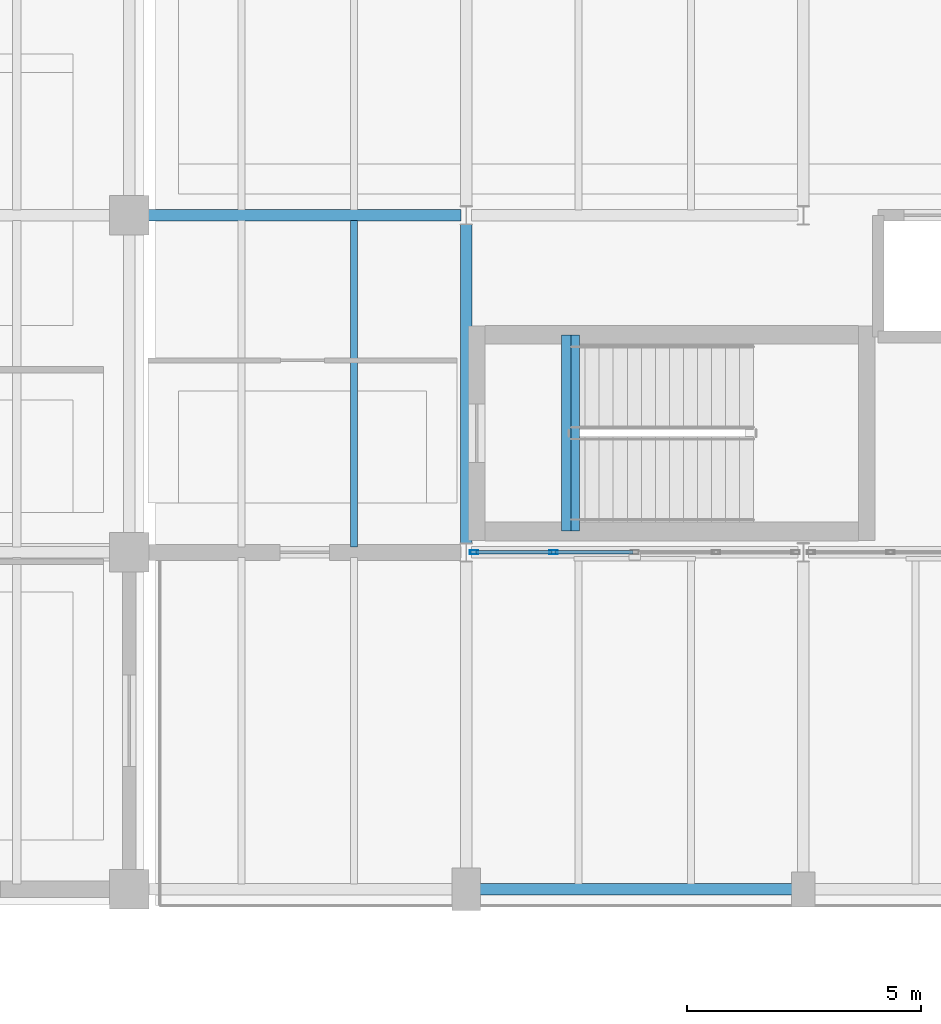
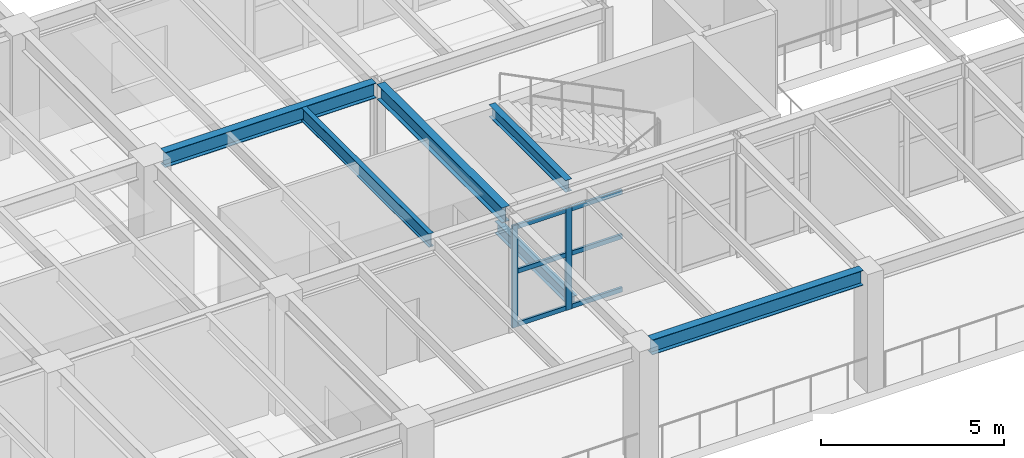
# One storey, part 13 of 59: 8 members, 6 beams, 1 element without a shape of its own.
"""IFC4 building model written with IfcOpenShell, lengths in metres."""

from ifc_helpers import new_model, si_unit, direction, frame, origin, origin_2d, place, context, subcontext, project, spatial, hollow_rectangle, i_section, extrude, material, layer, layer_set, material_profile, profile_set, type_object, element, aggregate, save


model = new_model("IFC4")

# Units and contexts
model_context = context("Model", 3, precision=1e-05, world=origin(), true_north=direction((0.0, 1.0)))
body_context = subcontext(model_context, "Body", "Model", "MODEL_VIEW")
ifc_project = project(units=[si_unit("LENGTHUNIT", "METRE"), si_unit("AREAUNIT", "SQUARE_METRE"), si_unit("VOLUMEUNIT", "CUBIC_METRE"), si_unit("PLANEANGLEUNIT", "RADIAN"), si_unit("MASSUNIT", "GRAM", prefix="KILO")], contexts=[model_context])

# Site, building, storey
site_placement = place(None, origin())
site = spatial("IfcSite", under=ifc_project, at=site_placement, CompositionType="ELEMENT")
building_placement = place(site_placement, origin())
building = spatial("IfcBuilding", under=site, at=building_placement, Name="Kandorven Conservatory and Botanical Research Centre", CompositionType="ELEMENT")
storey_placement = place(building_placement, frame((0.0, 0.0, 4.800048828125)))
storey = spatial("IfcBuildingStorey", under=building, at=storey_placement, Name="L01", CompositionType="ELEMENT", Elevation=4.800048828125)

# Beams
ifc_material_1 = material(Name="Steel S355 (IS 2062 E350)", Category="steel")
ifc_material_profile_1 = material_profile(ifc_material_1, i_section(OverallWidth=0.25, OverallDepth=0.5, WebThickness=0.010009765625, FlangeThickness=0.0146484375, at=origin_2d()))
ifc_profile_set_1 = profile_set([ifc_material_profile_1], Name="Steel S355 (IS 2062 E350)")
beam_type_1 = type_object("IfcBeamType", Name="Beam_FG-02", PredefinedType="USERDEFINED", material=ifc_profile_set_1)
for number, where, z_axis, x_axis, name in (
    (1, (49.489990234375, 6.0, 3.699951171875), (1.0, 0.0, 0.0), (0.0, 1.0, 0.0), "Primary girder FG-02 VIS L01"),
    (2, (42.4150390625, 20.39990234375, 3.699951171875), (1.0, 0.0, 0.0), (0.0, 1.0, 0.0), "Primary girder FG-02 VIS L01"),
):
    element("IfcBeam", number, at=place(storey_placement, frame(where, z_axis=z_axis, x_axis=x_axis)), inside=storey, type_object=beam_type_1, Name=name, ObjectType="GIRDER", PredefinedType="USERDEFINED", context=body_context, shape_type="SweptSolid", body=[
        extrude(i_section(OverallWidth=0.25, OverallDepth=0.5, WebThickness=0.010009765625, FlangeThickness=0.0146484375, at=origin_2d()), origin(), (0.0, 0.0, 1.0), 6.669921875),
    ])
beam_1_placement = place(storey_placement, frame((49.199951171875, 13.389892578125, 3.699951171875), z_axis=(0.0, 1.0, 0.0), x_axis=(-1.0, 0.0, 0.0)))
element("IfcBeam", 3, at=beam_1_placement, inside=storey, type_object=beam_type_1, Name="Primary girder FG-02 VIS L01", ObjectType="GIRDER", PredefinedType="USERDEFINED", context=body_context, shape_type="SweptSolid", body=[
    extrude(i_section(OverallWidth=0.25, OverallDepth=0.5, WebThickness=0.010009765625, FlangeThickness=0.0146484375, at=origin_2d()), origin(), (0.0, 0.0, 1.0), 6.820068359375),
])
ifc_material_2 = material(Name="Steel S355 (IS 2062 E350)", Category="steel")
ifc_material_profile_2 = material_profile(ifc_material_2, i_section(OverallWidth=0.199951171875, OverallDepth=0.39990234375, WebThickness=0.008544921875, FlangeThickness=0.012939453125, at=origin_2d()))
ifc_profile_set_2 = profile_set([ifc_material_profile_2], Name="Steel S355 (IS 2062 E350)")
beam_type_2 = type_object("IfcBeamType", Name="Beam_FG-03", PredefinedType="USERDEFINED", material=ifc_profile_set_2)
for number, where, z_axis, x_axis, name in (
    (4, (51.52001953125, 13.64990234375, -0.199951171875), (0.0, 1.0, 0.0), (-1.0, 0.0, 0.0), "Stair well bottom trimmer girder FG-03 ST-V3A L01"),
    (5, (51.340087890625, 13.64990234375, 3.75), (0.0, 1.0, 0.0), (-1.0, 0.0, 0.0), "Stair well top header girder FG-03 ST-V3A L01"),
):
    element("IfcBeam", number, at=place(storey_placement, frame(where, z_axis=z_axis, x_axis=x_axis)), inside=storey, type_object=beam_type_2, Name=name, ObjectType="GIRDER", PredefinedType="USERDEFINED", context=body_context, shape_type="SweptSolid", body=[
        extrude(i_section(OverallWidth=0.199951171875, OverallDepth=0.39990234375, WebThickness=0.008544921875, FlangeThickness=0.012939453125, at=origin_2d()), origin(), (0.0, 0.0, 1.0), 4.190185546875),
    ])
ifc_material_3 = material(Name="Steel S355 (IS 2062 E350)", Category="steel")
ifc_material_profile_3 = material_profile(ifc_material_3, i_section(OverallWidth=0.14990234375, OverallDepth=0.449951171875, WebThickness=0.009521484375, FlangeThickness=0.017333984375, at=origin_2d()))
ifc_profile_set_3 = profile_set([ifc_material_profile_3], Name="Steel S355 (IS 2062 E350)")
beam_type_3 = type_object("IfcBeamType", Name="Beam_SB-04", PredefinedType="BEAM", material=ifc_profile_set_3)
beam_2_placement = place(storey_placement, frame((46.800048828125, 13.31005859375, 3.724853515625), z_axis=(0.0, 1.0, 0.0), x_axis=(-1.0, 0.0, 0.0)))
element("IfcBeam", 6, at=beam_2_placement, inside=storey, type_object=beam_type_3, Name="Composite secondary beam SB-04 VIS L01", PredefinedType="BEAM", context=body_context, shape_type="SweptSolid", body=[
    extrude(i_section(OverallWidth=0.14990234375, OverallDepth=0.449951171875, WebThickness=0.009521484375, FlangeThickness=0.017333984375, at=origin_2d()), origin(), (0.0, 0.0, 1.0), 6.97998046875),
])

# Curtain wall, members
ifc_material_4 = material(Name="Bronze anodised thermally broken aluminium", Category="aluminium")
ifc_layer = layer(ifc_material_4, 0.179931640625)
ifc_layer_set = layer_set([ifc_layer], Name="Bronze anodised thermally broken aluminium")
curtain_wall_type = type_object("IfcCurtainWallType", Name="CW_Unitised", PredefinedType="USERDEFINED", material=ifc_layer_set)
curtain_wall_placement = place(storey_placement, origin())
curtain_wall = element("IfcCurtainWall", 7, at=curtain_wall_placement, inside=storey, type_object=curtain_wall_type, Name="Visitor wing unitised curtain wall CW-VIS-S-L01-2", ObjectType="UNITISED GLAZING", PredefinedType="USERDEFINED")
ifc_material_5 = material(Name="Bronze anodised thermally broken aluminium", Category="aluminium")
ifc_material_profile_4 = material_profile(ifc_material_5, hollow_rectangle(XDim=0.080078125, YDim=0.179931640625, WallThickness=0.006103515625, at=origin_2d()))
ifc_profile_set_4 = profile_set([ifc_material_profile_4], Name="Bronze anodised thermally broken aluminium")
member_type_1 = type_object("IfcMemberType", Name="CW_Mullion", PredefinedType="MULLION", material=ifc_profile_set_4)
member_1_placement = place(storey_placement, frame((49.364990234375, 13.199951171875, 0.0), z_axis=(0.0, 0.0, 1.0), x_axis=(0.0, 1.0, 0.0)))
member_1 = element("IfcMember", 8, at=member_1_placement, type_object=member_type_1, Name="CW-01 mullion 1", PredefinedType="MULLION", context=body_context, shape_type="SweptSolid", body=[
    extrude(hollow_rectangle(XDim=0.080078125, YDim=0.179931640625, WallThickness=0.006103515625, at=origin_2d()), origin(), (0.0, 0.0, 1.0), 3.409912109375),
])
member_2_placement = place(storey_placement, frame((51.0625, 13.199951171875, 0.0), z_axis=(0.0, 0.0, 1.0), x_axis=(0.0, 1.0, 0.0)))
member_2 = element("IfcMember", 9, at=member_2_placement, type_object=member_type_1, Name="CW-01 mullion 2", PredefinedType="MULLION", context=body_context, shape_type="SweptSolid", body=[
    extrude(hollow_rectangle(XDim=0.080078125, YDim=0.179931640625, WallThickness=0.006103515625, at=origin_2d()), origin(), (0.0, 0.0, 1.0), 3.409912109375),
])
ifc_material_6 = material(Name="Bronze anodised thermally broken aluminium", Category="aluminium")
ifc_material_profile_5 = material_profile(ifc_material_6, hollow_rectangle(XDim=0.074951171875, YDim=0.14990234375, WallThickness=0.006103515625, at=origin_2d()))
ifc_profile_set_5 = profile_set([ifc_material_profile_5], Name="Bronze anodised thermally broken aluminium")
member_type_2 = type_object("IfcMemberType", Name="CW_Transom", PredefinedType="USERDEFINED", material=ifc_profile_set_5)
member_3_placement = place(storey_placement, frame((49.405029296875, 13.199951171875, 0.074951171875), z_axis=(1.0, 0.0, 0.0), x_axis=(0.0, 1.0, 0.0)))
member_3 = element("IfcMember", 10, at=member_3_placement, type_object=member_type_2, Name="CW-01 transom 1.1", ObjectType="TRANSOM", PredefinedType="USERDEFINED", context=body_context, shape_type="SweptSolid", body=[
    extrude(hollow_rectangle(XDim=0.074951171875, YDim=0.14990234375, WallThickness=0.006103515625, at=origin_2d()), origin(), (0.0, 0.0, 1.0), 1.617431640625),
])
member_4_placement = place(storey_placement, frame((49.405029296875, 13.199951171875, 1.849853515625), z_axis=(1.0, 0.0, 0.0), x_axis=(0.0, 1.0, 0.0)))
member_4 = element("IfcMember", 11, at=member_4_placement, type_object=member_type_2, Name="CW-01 transom 1.2", ObjectType="TRANSOM", PredefinedType="USERDEFINED", context=body_context, shape_type="SweptSolid", body=[
    extrude(hollow_rectangle(XDim=0.074951171875, YDim=0.14990234375, WallThickness=0.006103515625, at=origin_2d()), origin(), (0.0, 0.0, 1.0), 1.617431640625),
])
member_5_placement = place(storey_placement, frame((49.405029296875, 13.199951171875, 3.3349609375), z_axis=(1.0, 0.0, 0.0), x_axis=(0.0, 1.0, 0.0)))
member_5 = element("IfcMember", 12, at=member_5_placement, type_object=member_type_2, Name="CW-01 transom 1.3", ObjectType="TRANSOM", PredefinedType="USERDEFINED", context=body_context, shape_type="SweptSolid", body=[
    extrude(hollow_rectangle(XDim=0.074951171875, YDim=0.14990234375, WallThickness=0.006103515625, at=origin_2d()), origin(), (0.0, 0.0, 1.0), 1.617431640625),
])
member_6_placement = place(storey_placement, frame((51.1025390625, 13.199951171875, 0.074951171875), z_axis=(1.0, 0.0, 0.0), x_axis=(0.0, 1.0, 0.0)))
member_6 = element("IfcMember", 13, at=member_6_placement, type_object=member_type_2, Name="CW-01 transom 2.1", ObjectType="TRANSOM", PredefinedType="USERDEFINED", context=body_context, shape_type="SweptSolid", body=[
    extrude(hollow_rectangle(XDim=0.074951171875, YDim=0.14990234375, WallThickness=0.006103515625, at=origin_2d()), origin(), (0.0, 0.0, 1.0), 1.657470703125),
])
member_7_placement = place(storey_placement, frame((51.1025390625, 13.199951171875, 1.849853515625), z_axis=(1.0, 0.0, 0.0), x_axis=(0.0, 1.0, 0.0)))
member_7 = element("IfcMember", 14, at=member_7_placement, type_object=member_type_2, Name="CW-01 transom 2.2", ObjectType="TRANSOM", PredefinedType="USERDEFINED", context=body_context, shape_type="SweptSolid", body=[
    extrude(hollow_rectangle(XDim=0.074951171875, YDim=0.14990234375, WallThickness=0.006103515625, at=origin_2d()), origin(), (0.0, 0.0, 1.0), 1.657470703125),
])
member_8_placement = place(storey_placement, frame((51.1025390625, 13.199951171875, 3.3349609375), z_axis=(1.0, 0.0, 0.0), x_axis=(0.0, 1.0, 0.0)))
member_8 = element("IfcMember", 15, at=member_8_placement, type_object=member_type_2, Name="CW-01 transom 2.3", ObjectType="TRANSOM", PredefinedType="USERDEFINED", context=body_context, shape_type="SweptSolid", body=[
    extrude(hollow_rectangle(XDim=0.074951171875, YDim=0.14990234375, WallThickness=0.006103515625, at=origin_2d()), origin(), (0.0, 0.0, 1.0), 1.657470703125),
])
aggregate(curtain_wall, [member_1, member_2, member_3, member_4, member_5, member_6, member_7, member_8])

save(model, "model.ifc")
